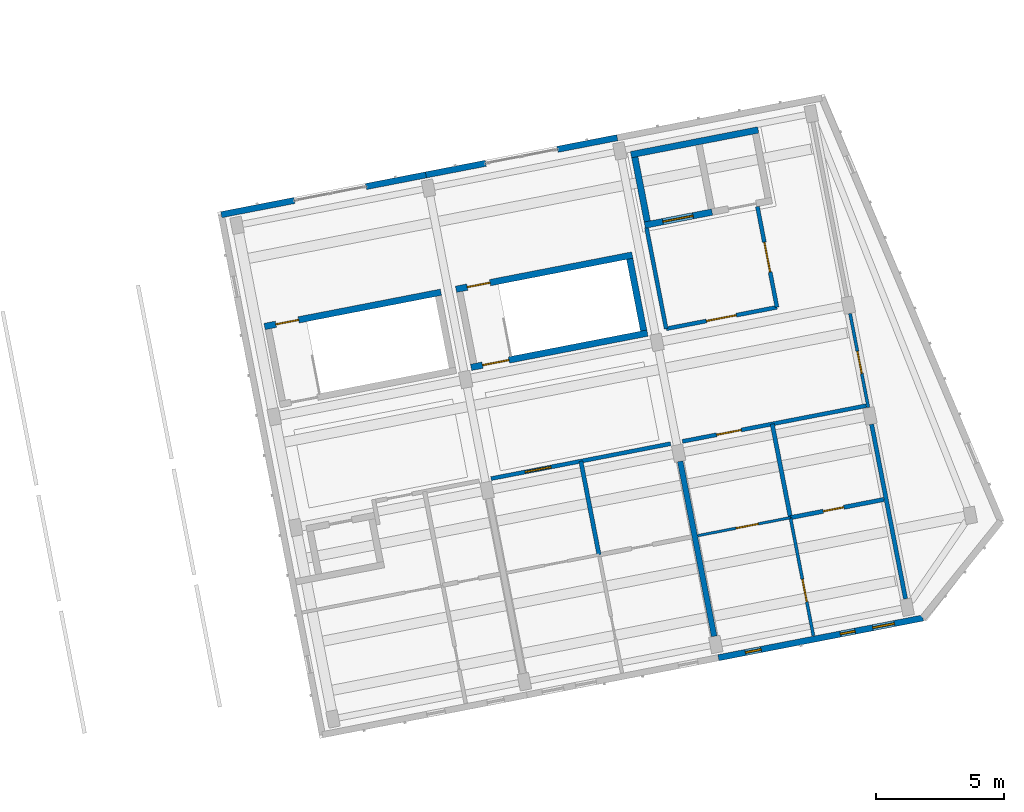
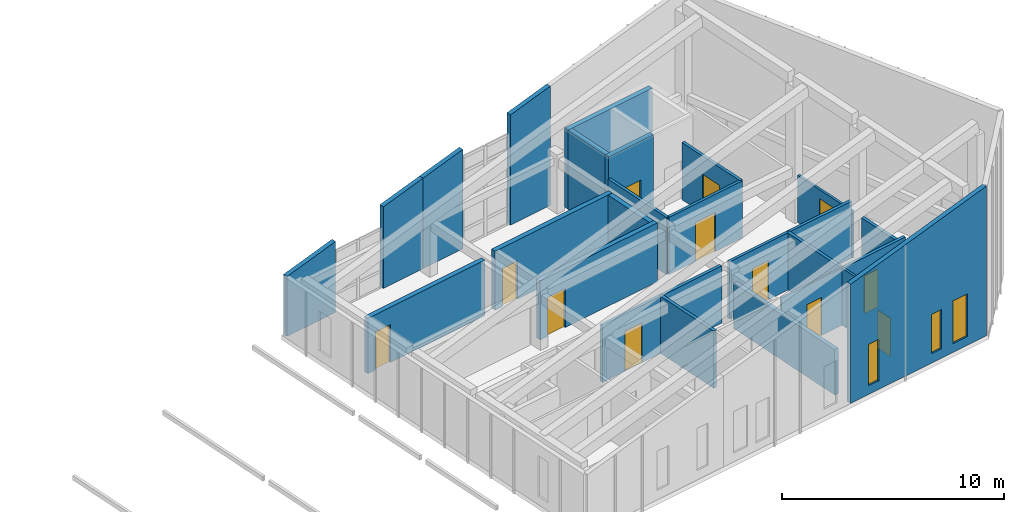
# One storey, part 30 of 56: 25 walls, 12 doors, 3 windows, 15 openings.
"""IFC4 building model written with IfcOpenShell, lengths in metres."""

from ifc_helpers import new_model, si_unit, direction, frame, frame_2d, origin, place, context, subcontext, project, spatial, polyline, rectangle, outline, extrude, material, layer, layer_set, type_object, element, fill, save


model = new_model("IFC4")

# Units and contexts
model_context = context("Model", 3, precision=1e-05, world=origin(), true_north=direction((0.0, 1.0)))
body_context = subcontext(model_context, "Body", "Model", "MODEL_VIEW")
ifc_project = project(units=[si_unit("LENGTHUNIT", "METRE"), si_unit("AREAUNIT", "SQUARE_METRE"), si_unit("VOLUMEUNIT", "CUBIC_METRE"), si_unit("PLANEANGLEUNIT", "RADIAN"), si_unit("MASSUNIT", "GRAM", prefix="KILO")], contexts=[model_context])

# Site, building, storey
site_placement = place(None, origin())
site = spatial("IfcSite", under=ifc_project, at=site_placement, CompositionType="ELEMENT")
building_placement = place(site_placement, origin())
building = spatial("IfcBuilding", under=site, at=building_placement, Name="Kestramere Prow Commons", CompositionType="ELEMENT")
storey_placement = place(building_placement, frame((0.0, 0.0, 27.89990234375)))
storey = spatial("IfcBuildingStorey", under=building, at=storey_placement, Name="L08", CompositionType="ELEMENT", Elevation=27.89990234375)

# Wall, openings, windows
ifc_material_1 = material(Name="Fluoropolymer Standing-Seam Zinc-Aluminium Cladding", Category="aluminium")
ifc_layer_1 = layer(ifc_material_1, 0.239990234375)
ifc_layer_set_1 = layer_set([ifc_layer_1], Name="Fluoropolymer Standing-Seam Zinc-Aluminium Cladding")
wall_type_1 = type_object("IfcWallType", Name="EW-SEAM-240", PredefinedType="SOLIDWALL", material=ifc_layer_set_1)
wall_1_placement = place(storey_placement, frame((163.77783203125, 42.28564453125, 0.0), z_axis=(0.0, 0.0, 1.0), x_axis=(-0.981628367112, -0.190802905848, 0.0)))
wall_1 = element("IfcWall", 1, at=wall_1_placement, inside=storey, type_object=wall_type_1, Name="Block D L08 South Standing-Seam Wall 6", PredefinedType="SOLIDWALL", context=body_context, shape_type="SweptSolid", body=[
    extrude(outline(polyline([(0.0, 0.0), (8.125, 0.0), (8.125, 6.5595703125), (0.0, 8.2412109375), (0.0, 0.0)])), frame((0.0, 0.1201171875, 0.0), z_axis=(0.0, -1.0, 0.0), x_axis=(1.0, 0.0, 0.0)), (0.0, 0.0, 1.0), 0.239990234375),
])
opening_1_placement = place(wall_1_placement, frame((1.135009765625, 0.0, 0.47998046875)))
opening_1 = element("IfcOpeningElement", 2, at=opening_1_placement, cuts=wall_1, Name="Opening WN-15", PredefinedType="OPENING", context=body_context, shape_type="SweptSolid", body=[
    extrude(rectangle(XDim=0.860107421875, YDim=2.360107421875, at=frame_2d((0.43017578125, 1.18017578125))), frame((0.0, 0.135009765625, 0.0), z_axis=(0.0, -1.0, 0.0), x_axis=(1.0, 0.0, 0.0)), (0.0, 0.0, 1.0), 0.27001953125),
])
opening_2_placement = place(wall_1_placement, frame((2.697021484375, 0.0, 0.52001953125)))
opening_2 = element("IfcOpeningElement", 3, at=opening_2_placement, cuts=wall_1, Name="Opening WN-01", PredefinedType="OPENING", context=body_context, shape_type="SweptSolid", body=[
    extrude(rectangle(XDim=0.580078125, YDim=2.159912109375, at=frame_2d((0.2900390625, 1.080078125))), frame((0.0, 0.135009765625, 0.0), z_axis=(0.0, -1.0, 0.0), x_axis=(1.0, 0.0, 0.0)), (0.0, 0.0, 1.0), 0.27001953125),
])
opening_3_placement = place(wall_1_placement, frame((6.4296875, 0.0, 0.47998046875)))
opening_3 = element("IfcOpeningElement", 4, at=opening_3_placement, cuts=wall_1, Name="Opening WN-03", PredefinedType="OPENING", context=body_context, shape_type="SweptSolid", body=[
    extrude(rectangle(XDim=0.6201171875, YDim=2.280029296875, at=frame_2d((0.31005859375, 1.14013671875))), frame((0.0, 0.135009765625, 0.0), z_axis=(0.0, -1.0, 0.0), x_axis=(1.0, 0.0, 0.0)), (0.0, 0.0, 1.0), 0.27001953125),
])
ifc_material_2 = material(Name="Low-E Laminated Double Glazing", Category="glass")
window_type_1 = type_object("IfcWindowType", Name="WN-NAR-580A", PartitioningType="SINGLE_PANEL", PredefinedType="WINDOW", material=ifc_material_2)
window_1_placement = place(opening_2_placement, origin())
window_1 = element("IfcWindow", 5, at=window_1_placement, inside=storey, type_object=window_type_1, Name="WN-D-L08-S-5-01", OverallHeight=2.159912109375, OverallWidth=0.580078125, PartitioningType="SINGLE_PANEL", PredefinedType="WINDOW", context=body_context, shape_type="SweptSolid", body=[
    extrude(rectangle(XDim=0.580078125, YDim=2.159912109375, at=frame_2d((0.2900390625, 1.080078125))), frame((0.0, 0.030029296875, 0.0), z_axis=(0.0, -1.0, 0.0), x_axis=(1.0, 0.0, 0.0)), (0.0, 0.0, 1.0), 0.06005859375),
])
fill(opening_2, window_1)
window_type_2 = type_object("IfcWindowType", Name="WN-NAR-620A", PartitioningType="SINGLE_PANEL", PredefinedType="WINDOW", material=ifc_material_2)
window_2_placement = place(opening_3_placement, origin())
window_2 = element("IfcWindow", 6, at=window_2_placement, inside=storey, type_object=window_type_2, Name="WN-D-L08-S-5-10", OverallHeight=2.280029296875, OverallWidth=0.6201171875, PartitioningType="SINGLE_PANEL", PredefinedType="WINDOW", context=body_context, shape_type="SweptSolid", body=[
    extrude(rectangle(XDim=0.6201171875, YDim=2.280029296875, at=frame_2d((0.31005859375, 1.14013671875))), frame((0.0, 0.030029296875, 0.0), z_axis=(0.0, -1.0, 0.0), x_axis=(1.0, 0.0, 0.0)), (0.0, 0.0, 1.0), 0.06005859375),
])
fill(opening_3, window_2)
window_type_3 = type_object("IfcWindowType", Name="WN-NAR-860A", PartitioningType="DOUBLE_PANEL_VERTICAL", PredefinedType="WINDOW", material=ifc_material_2)
window_3_placement = place(opening_1_placement, origin())
window_3 = element("IfcWindow", 7, at=window_3_placement, inside=storey, type_object=window_type_3, Name="WN-D-L08-S-5-00", OverallHeight=2.360107421875, OverallWidth=0.860107421875, PartitioningType="SINGLE_PANEL", PredefinedType="WINDOW", context=body_context, shape_type="SweptSolid", body=[
    extrude(rectangle(XDim=0.860107421875, YDim=2.360107421875, at=frame_2d((0.43017578125, 1.18017578125))), frame((0.0, 0.030029296875, 0.0), z_axis=(0.0, -1.0, 0.0), x_axis=(1.0, 0.0, 0.0)), (0.0, 0.0, 1.0), 0.06005859375),
])
fill(opening_1, window_3)

# Walls
wall_2_placement = place(storey_placement, frame((136.42578125, 58.005615234375, 0.0), z_axis=(0.0, 0.0, 1.0), x_axis=(0.981634663451, 0.190770510067, 0.0)))
element("IfcWall", 8, at=wall_2_placement, inside=storey, type_object=wall_type_1, Name="Block D L08 North Standing-Seam Pier 4L", PredefinedType="SOLIDWALL", context=body_context, shape_type="SweptSolid", body=[
    extrude(outline(polyline([(0.0, 0.0), (2.89990234375, 0.0), (2.89990234375, 3.9052734375), (0.0, 3.30517578125), (0.0, 0.0)])), frame((0.0, 0.1201171875, 0.0), z_axis=(0.0, -1.0, 0.0), x_axis=(1.0, 0.0, 0.0)), (0.0, 0.0, 1.0), 0.239990234375),
])
wall_3_placement = place(storey_placement, frame((142.070068359375, 59.102783203125, 0.0), z_axis=(0.0, 0.0, 1.0), x_axis=(0.981629832251, 0.190795367961, 0.0)))
element("IfcWall", 9, at=wall_3_placement, inside=storey, type_object=wall_type_1, Name="Block D L08 North Standing-Seam Pier 4R", PredefinedType="SOLIDWALL", context=body_context, shape_type="SweptSolid", body=[
    extrude(outline(polyline([(0.0, 0.0), (2.375, 0.0), (2.375, 4.98681640625), (0.0, 4.4951171875), (0.0, 0.0)])), frame((0.0, 0.1201171875, 0.0), z_axis=(0.0, -1.0, 0.0), x_axis=(1.0, 0.0, 0.0)), (0.0, 0.0, 1.0), 0.239990234375),
])
wall_4_placement = place(storey_placement, frame((144.4013671875, 59.555908203125, 0.0), z_axis=(0.0, 0.0, 1.0), x_axis=(0.981633573872, 0.190776116556, 0.0)))
element("IfcWall", 10, at=wall_4_placement, inside=storey, type_object=wall_type_1, Name="Block D L08 North Standing-Seam Pier 5L", PredefinedType="SOLIDWALL", context=body_context, shape_type="SweptSolid", body=[
    extrude(outline(polyline([(0.0, 0.0), (2.375244140625, 0.0), (2.375, 5.478271484375), (0.0, 4.98681640625), (0.0, 0.0)])), frame((0.0, 0.1201171875, 0.0), z_axis=(0.0, -1.0, 0.0), x_axis=(1.0, 0.0, 0.0)), (0.0, 0.0, 1.0), 0.239990234375),
])
wall_5_placement = place(storey_placement, frame((149.530517578125, 60.552734375, 0.0), z_axis=(0.0, 0.0, 1.0), x_axis=(0.98161057432, 0.190894422087, 0.0)))
element("IfcWall", 11, at=wall_5_placement, inside=storey, type_object=wall_type_1, Name="Block D L08 North Standing-Seam Pier 5R", PredefinedType="SOLIDWALL", context=body_context, shape_type="SweptSolid", body=[
    extrude(outline(polyline([(0.0, 0.0), (2.375, 0.0), (2.375, 6.5595703125), (0.0, 6.068115234375), (0.0, 0.0)])), frame((0.0, 0.1201171875, 0.0), z_axis=(0.0, -1.0, 0.0), x_axis=(1.0, 0.0, 0.0)), (0.0, 0.0, 1.0), 0.239990234375),
])
ifc_material_3 = material(Name="Concrete C40/50", Category="concrete")
ifc_layer_2 = layer(ifc_material_3, 0.25)
ifc_layer_set_2 = layer_set([ifc_layer_2], Name="Concrete C40/50")
wall_type_2 = type_object("IfcWallType", Name="W-CORE-250", PredefinedType="SHEAR", material=ifc_layer_set_2)
wall_6_placement = place(storey_placement, frame((152.3974609375, 60.34619140625, 0.0), z_axis=(0.0, 0.0, 1.0), x_axis=(0.981635261308, 0.190767433692, 0.0)))
element("IfcWall", 12, at=wall_6_placement, inside=storey, type_object=wall_type_2, Name="Block D L08 Lift Core Back Wall", PredefinedType="SHEAR", context=body_context, shape_type="SweptSolid", body=[
    extrude(rectangle(XDim=5.050048828125, YDim=0.25, at=frame_2d((2.52490234375, 0.0))), origin(), (0.0, 0.0, 1.0), 4.35009765625),
])

# Wall, opening, door
wall_7_placement = place(storey_placement, frame((152.931884765625, 57.59765625, 0.0), z_axis=(0.0, 0.0, 1.0), x_axis=(0.981636759622, 0.190759723627, 0.0)))
wall_7 = element("IfcWall", 13, at=wall_7_placement, inside=storey, type_object=wall_type_2, Name="Block D L08 Fire Lift Shaft Front Wall", PredefinedType="SHEAR", context=body_context, shape_type="SweptSolid", body=[
    extrude(rectangle(XDim=2.6748046875, YDim=0.25, at=frame_2d((1.33740234375, 0.0))), origin(), (0.0, 0.0, 1.0), 4.35009765625),
])
opening_4_placement = place(wall_7_placement, frame((0.719970703125, 0.0, 0.0)))
opening_4 = element("IfcOpeningElement", 14, at=opening_4_placement, cuts=wall_7, Name="Opening LD-02", PredefinedType="OPENING", context=body_context, shape_type="SweptSolid", body=[
    extrude(rectangle(XDim=1.199951171875, YDim=2.199951171875, at=frame_2d((0.60009765625, 1.10009765625))), frame((0.0, 0.139892578125, 0.0), z_axis=(0.0, -1.0, 0.0), x_axis=(1.0, 0.0, 0.0)), (0.0, 0.0, 1.0), 0.280029296875),
])
ifc_material_4 = material(Name="Brushed Stainless Steel 316", Category="steel")
door_type_1 = type_object("IfcDoorType", Name="LD-02", OperationType="DOUBLE_DOOR_SLIDING", PredefinedType="DOOR", material=ifc_material_4)
door_1_placement = place(opening_4_placement, origin())
door_1 = element("IfcDoor", 15, at=door_1_placement, inside=storey, type_object=door_type_1, Name="FL-D1 L08 Lift Landing Door", OperationType="DOUBLE_DOOR_SLIDING", OverallHeight=2.199951171875, OverallWidth=1.199951171875, PredefinedType="DOOR", context=body_context, shape_type="SweptSolid", body=[
    extrude(rectangle(XDim=1.199951171875, YDim=2.199951171875, at=frame_2d((0.60009765625, 1.10009765625))), frame((0.0, 0.02490234375, 0.0), z_axis=(0.0, -1.0, 0.0), x_axis=(1.0, 0.0, 0.0)), (0.0, 0.0, 1.0), 0.050048828125),
])
fill(opening_4, door_1)

# Wall
wall_8_placement = place(storey_placement, frame((153.03076171875, 57.744140625, 0.0), z_axis=(0.0, 0.0, 1.0), x_axis=(-0.190810719655, 0.98162684828, 0.0)))
element("IfcWall", 16, at=wall_8_placement, inside=storey, type_object=wall_type_2, Name="Block D L08 Lift Core Side Wall L", PredefinedType="SHEAR", context=body_context, shape_type="SweptSolid", body=[
    extrude(rectangle(XDim=2.550048828125, YDim=0.25, at=frame_2d((1.27490234375, 0.0))), origin(), (0.0, 0.0, 1.0), 4.35009765625),
])

# Wall, opening, door
wall_9_placement = place(storey_placement, frame((138.11328125, 53.6474609375, 0.0), z_axis=(0.0, 0.0, 1.0), x_axis=(0.981626097708, 0.19081458094, 0.0)))
wall_9 = element("IfcWall", 17, at=wall_9_placement, inside=storey, type_object=wall_type_2, Name="ST-D1 L08 North Shaft Wall", PredefinedType="SHEAR", context=body_context, shape_type="SweptSolid", body=[
    extrude(rectangle(XDim=7.0, YDim=0.25, at=frame_2d((3.5, 0.0))), origin(), (0.0, 0.0, 1.0), 3.048828125),
])
opening_5_placement = place(wall_9_placement, frame((0.449951171875, 0.0, 0.0)))
opening_5 = element("IfcOpeningElement", 18, at=opening_5_placement, cuts=wall_9, Name="Opening ID-08", PredefinedType="OPENING", context=body_context, shape_type="SweptSolid", body=[
    extrude(rectangle(XDim=0.89990234375, YDim=2.10009765625, at=frame_2d((0.449951171875, 1.050048828125))), frame((0.0, 0.139892578125, 0.0), z_axis=(0.0, -1.0, 0.0), x_axis=(1.0, 0.0, 0.0)), (0.0, 0.0, 1.0), 0.280029296875),
])
ifc_material_5 = material(Name="Engineered Timber Flush Door", Category="wood")
door_type_2 = type_object("IfcDoorType", Name="D-RM-01", OperationType="NOTDEFINED", PredefinedType="DOOR", material=ifc_material_5)
door_2_placement = place(opening_5_placement, origin())
door_2 = element("IfcDoor", 19, at=door_2_placement, inside=storey, type_object=door_type_2, Name="ST-D1 L08 North Room Door", OperationType="SINGLE_SWING_RIGHT", OverallHeight=2.10009765625, OverallWidth=0.89990234375, PredefinedType="DOOR", context=body_context, shape_type="SweptSolid", body=[
    extrude(rectangle(XDim=0.89990234375, YDim=2.10009765625, at=frame_2d((0.449951171875, 1.050048828125))), frame((0.0, 0.02490234375, 0.0), z_axis=(0.0, -1.0, 0.0), x_axis=(1.0, 0.0, 0.0)), (0.0, 0.0, 1.0), 0.050048828125),
])
fill(opening_5, door_2)

wall_10_placement = place(storey_placement, frame((145.57373046875, 55.09765625, 0.0), z_axis=(0.0, 0.0, 1.0), x_axis=(0.981626097708, 0.19081458094, 0.0)))
wall_10 = element("IfcWall", 20, at=wall_10_placement, inside=storey, type_object=wall_type_2, Name="ST-D2 L08 North Shaft Wall", PredefinedType="SHEAR", context=body_context, shape_type="SweptSolid", body=[
    extrude(rectangle(XDim=7.0, YDim=0.25, at=frame_2d((3.5, 0.0))), origin(), (0.0, 0.0, 1.0), 3.25),
])
opening_6_placement = place(wall_10_placement, frame((0.449951171875, 0.0, 0.0)))
opening_6 = element("IfcOpeningElement", 21, at=opening_6_placement, cuts=wall_10, Name="Opening ID-08", PredefinedType="OPENING", context=body_context, shape_type="SweptSolid", body=[
    extrude(rectangle(XDim=0.89990234375, YDim=2.10009765625, at=frame_2d((0.449951171875, 1.050048828125))), frame((0.0, 0.139892578125, 0.0), z_axis=(0.0, -1.0, 0.0), x_axis=(1.0, 0.0, 0.0)), (0.0, 0.0, 1.0), 0.280029296875),
])
door_3_placement = place(opening_6_placement, origin())
door_3 = element("IfcDoor", 22, at=door_3_placement, inside=storey, type_object=door_type_2, Name="ST-D2 L08 North Room Door", OperationType="SINGLE_SWING_RIGHT", OverallHeight=2.10009765625, OverallWidth=0.89990234375, PredefinedType="DOOR", context=body_context, shape_type="SweptSolid", body=[
    extrude(rectangle(XDim=0.89990234375, YDim=2.10009765625, at=frame_2d((0.449951171875, 1.050048828125))), frame((0.0, 0.02490234375, 0.0), z_axis=(0.0, -1.0, 0.0), x_axis=(1.0, 0.0, 0.0)), (0.0, 0.0, 1.0), 0.050048828125),
])
fill(opening_6, door_3)

wall_11_placement = place(storey_placement, frame((146.1650390625, 52.054443359375, 0.0), z_axis=(0.0, 0.0, 1.0), x_axis=(0.981627367538, 0.190808048312, 0.0)))
wall_11 = element("IfcWall", 23, at=wall_11_placement, inside=storey, type_object=wall_type_2, Name="ST-D2 L08 Corridor Shaft Wall", PredefinedType="SHEAR", context=body_context, shape_type="SweptSolid", body=[
    extrude(rectangle(XDim=7.000244140625, YDim=0.25, at=frame_2d((3.5, 0.0))), origin(), (0.0, 0.0, 1.0), 3.25),
])
opening_7_placement = place(wall_11_placement, frame((0.449951171875, 0.0, 0.0)))
opening_7 = element("IfcOpeningElement", 24, at=opening_7_placement, cuts=wall_11, Name="Opening ID-01", PredefinedType="OPENING", context=body_context, shape_type="SweptSolid", body=[
    extrude(rectangle(XDim=1.050048828125, YDim=2.14990234375, at=frame_2d((0.52490234375, 1.074951171875))), frame((0.0, 0.139892578125, 0.0), z_axis=(0.0, -1.0, 0.0), x_axis=(1.0, 0.0, 0.0)), (0.0, 0.0, 1.0), 0.280029296875),
])
ifc_material_6 = material(Name="Fire-Rated Timber and Steel Frame", Category="steel")
door_type_3 = type_object("IfcDoorType", Name="FD-ST-01", OperationType="NOTDEFINED", PredefinedType="DOOR", material=ifc_material_6)
door_4_placement = place(opening_7_placement, origin())
door_4 = element("IfcDoor", 25, at=door_4_placement, inside=storey, type_object=door_type_3, Name="ST-D2 L08 Protected Stair Door", OperationType="SINGLE_SWING_LEFT", OverallHeight=2.14990234375, OverallWidth=1.050048828125, PredefinedType="DOOR", context=body_context, shape_type="SweptSolid", body=[
    extrude(rectangle(XDim=1.050048828125, YDim=2.14990234375, at=frame_2d((0.52490234375, 1.074951171875))), frame((0.0, 0.02490234375, 0.0), z_axis=(0.0, -1.0, 0.0), x_axis=(1.0, 0.0, 0.0)), (0.0, 0.0, 1.0), 0.050048828125),
])
fill(opening_7, door_4)

# Wall
wall_12_placement = place(storey_placement, frame((152.889892578125, 53.489013671875, 0.0), z_axis=(0.0, 0.0, 1.0), x_axis=(-0.190775649797, 0.981633664584, 0.0)))
element("IfcWall", 26, at=wall_12_placement, inside=storey, type_object=wall_type_2, Name="ST-D2 L08 Far Shaft Wall", PredefinedType="SHEAR", context=body_context, shape_type="SweptSolid", body=[
    extrude(rectangle(XDim=2.849853515625, YDim=0.25, at=frame_2d((1.4248046875, 0.0))), origin(), (0.0, 0.0, 1.0), 3.25),
])

# Wall, opening, door
ifc_material_7 = material(Name="Fire-Rated Calcium Silicate Wall")
ifc_layer_3 = layer(ifc_material_7, 0.155029296875)
ifc_layer_set_3 = layer_set([ifc_layer_3], Name="Fire-Rated Calcium Silicate Wall")
wall_type_3 = type_object("IfcWallType", Name="W-FIRE-150", PredefinedType="PARTITIONING", material=ifc_layer_set_3)
wall_13_placement = place(storey_placement, frame((153.76806640625, 53.557861328125, 0.0), z_axis=(0.0, 0.0, 1.0), x_axis=(0.981624918225, 0.190820648566, 0.0)))
wall_13 = element("IfcWall", 27, at=wall_13_placement, inside=storey, type_object=wall_type_3, Name="Interior Partition PW-D-L08-FFL-S", PredefinedType="PARTITIONING", context=body_context, shape_type="SweptSolid", body=[
    extrude(rectangle(XDim=4.39990234375, YDim=0.155029296875, at=frame_2d((2.199951171875, 0.0))), origin(), (0.0, 0.0, 1.0), 3.150146484375),
])
opening_8_placement = place(wall_13_placement, frame((1.60009765625, 0.0, 0.0)))
opening_8 = element("IfcOpeningElement", 28, at=opening_8_placement, cuts=wall_13, Name="Opening ID-03", PredefinedType="OPENING", context=body_context, shape_type="SweptSolid", body=[
    extrude(rectangle(XDim=1.179931640625, YDim=2.14990234375, at=frame_2d((0.58984375, 1.074951171875))), frame((0.0, 0.092529296875, 0.0), z_axis=(0.0, -1.0, 0.0), x_axis=(1.0, 0.0, 0.0)), (0.0, 0.0, 1.0), 0.18505859375),
])
ifc_material_8 = material(Name="Fire-Rated Glazed Smoke-Stop Door")
door_type_4 = type_object("IfcDoorType", Name="FD-LB-01", OperationType="NOTDEFINED", PredefinedType="DOOR", material=ifc_material_8)
door_5_placement = place(opening_8_placement, origin())
door_5 = element("IfcDoor", 29, at=door_5_placement, inside=storey, type_object=door_type_4, Name="Interior Door DR-D-L08-FFL", OperationType="SINGLE_SWING_LEFT", OverallHeight=2.14990234375, OverallWidth=1.179931640625, PredefinedType="DOOR", context=body_context, shape_type="SweptSolid", body=[
    extrude(rectangle(XDim=1.179931640625, YDim=2.14990234375, at=frame_2d((0.58984375, 1.074951171875))), frame((0.0, 0.02490234375, 0.0), z_axis=(0.0, -1.0, 0.0), x_axis=(1.0, 0.0, 0.0)), (0.0, 0.0, 1.0), 0.050048828125),
])
fill(opening_8, door_5)

# Wall
wall_14_placement = place(storey_placement, frame((153.76806640625, 53.557861328125, 0.0), z_axis=(0.0, 0.0, 1.0), x_axis=(-0.19085495634, 0.981618248425, 0.0)))
element("IfcWall", 30, at=wall_14_placement, inside=storey, type_object=wall_type_3, Name="Interior Partition PW-D-L08-FFL-W", PredefinedType="PARTITIONING", context=body_context, shape_type="SweptSolid", body=[
    extrude(rectangle(XDim=4.0, YDim=0.155029296875, at=frame_2d((2.0, 0.0))), origin(), (0.0, 0.0, 1.0), 3.150146484375),
])

# Wall, opening, door
wall_15_placement = place(storey_placement, frame((158.087158203125, 54.3974609375, 0.0), z_axis=(0.0, 0.0, 1.0), x_axis=(-0.190796144009, 0.981629681413, 0.0)))
wall_15 = element("IfcWall", 31, at=wall_15_placement, inside=storey, type_object=wall_type_3, Name="Interior Partition PW-D-L08-FFL-E", PredefinedType="PARTITIONING", context=body_context, shape_type="SweptSolid", body=[
    extrude(rectangle(XDim=4.0, YDim=0.155029296875, at=frame_2d((2.0, 0.0))), origin(), (0.0, 0.0, 1.0), 3.150146484375),
])
opening_9_placement = place(wall_15_placement, frame((1.39990234375, 0.0, 0.0)))
opening_9 = element("IfcOpeningElement", 32, at=opening_9_placement, cuts=wall_15, Name="Opening ID-03", PredefinedType="OPENING", context=body_context, shape_type="SweptSolid", body=[
    extrude(rectangle(XDim=1.179931640625, YDim=2.14990234375, at=frame_2d((0.58984375, 1.074951171875))), frame((0.0, 0.092529296875, 0.0), z_axis=(0.0, -1.0, 0.0), x_axis=(1.0, 0.0, 0.0)), (0.0, 0.0, 1.0), 0.18505859375),
])
door_6_placement = place(opening_9_placement, origin())
door_6 = element("IfcDoor", 33, at=door_6_placement, inside=storey, type_object=door_type_4, Name="Interior Door DR-D-L08-FFL-PL", OperationType="SINGLE_SWING_LEFT", OverallHeight=2.14990234375, OverallWidth=1.179931640625, PredefinedType="DOOR", context=body_context, shape_type="SweptSolid", body=[
    extrude(rectangle(XDim=1.179931640625, YDim=2.14990234375, at=frame_2d((0.58984375, 1.074951171875))), frame((0.0, 0.02490234375, 0.0), z_axis=(0.0, -1.0, 0.0), x_axis=(1.0, 0.0, 0.0)), (0.0, 0.0, 1.0), 0.050048828125),
])
fill(opening_9, door_6)

wall_16_placement = place(storey_placement, frame((146.94189453125, 47.718017578125, 0.0), z_axis=(0.0, 0.0, 1.0), x_axis=(0.981623942594, 0.190825667367, 0.0)))
wall_16 = element("IfcWall", 34, at=wall_16_placement, inside=storey, type_object=wall_type_3, Name="Interior Partition PW-D-L08-CS-4", PredefinedType="PARTITIONING", context=body_context, shape_type="SweptSolid", body=[
    extrude(rectangle(XDim=7.130126953125, YDim=0.155029296875, at=frame_2d((3.56494140625, 0.0))), origin(), (0.0, 0.0, 1.0), 3.150146484375),
])
opening_10_placement = place(wall_16_placement, frame((1.35498046875, 0.0, 0.0)))
opening_10 = element("IfcOpeningElement", 35, at=opening_10_placement, cuts=wall_16, Name="Opening ID-05", PredefinedType="OPENING", context=body_context, shape_type="SweptSolid", body=[
    extrude(rectangle(XDim=1.02001953125, YDim=2.199951171875, at=frame_2d((0.510009765625, 1.10009765625))), frame((0.0, 0.092529296875, 0.0), z_axis=(0.0, -1.0, 0.0), x_axis=(1.0, 0.0, 0.0)), (0.0, 0.0, 1.0), 0.18505859375),
])
ifc_material_9 = material(Name="Hardwood Fire-Rated Flat Entrance Door", Category="wood")
door_type_5 = type_object("IfcDoorType", Name="FD-ENT-02", OperationType="NOTDEFINED", PredefinedType="DOOR", material=ifc_material_9)
door_7_placement = place(opening_10_placement, origin())
door_7 = element("IfcDoor", 36, at=door_7_placement, inside=storey, type_object=door_type_5, Name="Interior Door DR-D-L08-ENT-S4", OperationType="SINGLE_SWING_LEFT", OverallHeight=2.199951171875, OverallWidth=1.02001953125, PredefinedType="DOOR", context=body_context, shape_type="SweptSolid", body=[
    extrude(rectangle(XDim=1.02001953125, YDim=2.199951171875, at=frame_2d((0.510009765625, 1.10009765625))), frame((0.0, 0.02490234375, 0.0), z_axis=(0.0, -1.0, 0.0), x_axis=(1.0, 0.0, 0.0)), (0.0, 0.0, 1.0), 0.050048828125),
])
fill(opening_10, door_7)

wall_17_placement = place(storey_placement, frame((154.40234375, 49.168212890625, 0.0), z_axis=(0.0, 0.0, 1.0), x_axis=(0.981623226858, 0.190829349137, 0.0)))
wall_17 = element("IfcWall", 37, at=wall_17_placement, inside=storey, type_object=wall_type_3, Name="Interior Partition PW-D-L08-CS-5", PredefinedType="PARTITIONING", context=body_context, shape_type="SweptSolid", body=[
    extrude(rectangle(XDim=7.294921875, YDim=0.155029296875, at=frame_2d((3.6474609375, 0.0))), origin(), (0.0, 0.0, 1.0), 3.150146484375),
])
opening_11_placement = place(wall_17_placement, frame((1.35498046875, 0.0, 0.0)))
opening_11 = element("IfcOpeningElement", 38, at=opening_11_placement, cuts=wall_17, Name="Opening ID-04", PredefinedType="OPENING", context=body_context, shape_type="SweptSolid", body=[
    extrude(rectangle(XDim=0.97998046875, YDim=2.14990234375, at=frame_2d((0.489990234375, 1.074951171875))), frame((0.0, 0.092529296875, 0.0), z_axis=(0.0, -1.0, 0.0), x_axis=(1.0, 0.0, 0.0)), (0.0, 0.0, 1.0), 0.18505859375),
])
door_type_6 = type_object("IfcDoorType", Name="FD-ENT-01", OperationType="NOTDEFINED", PredefinedType="DOOR", material=ifc_material_9)
door_8_placement = place(opening_11_placement, origin())
door_8 = element("IfcDoor", 39, at=door_8_placement, inside=storey, type_object=door_type_6, Name="Interior Door DR-D-L08-ENT-S5", OperationType="SINGLE_SWING_RIGHT", OverallHeight=2.14990234375, OverallWidth=0.97998046875, PredefinedType="DOOR", context=body_context, shape_type="SweptSolid", body=[
    extrude(rectangle(XDim=0.97998046875, YDim=2.14990234375, at=frame_2d((0.489990234375, 1.074951171875))), frame((0.0, 0.02490234375, 0.0), z_axis=(0.0, -1.0, 0.0), x_axis=(1.0, 0.0, 0.0)), (0.0, 0.0, 1.0), 0.050048828125),
])
fill(opening_11, door_8)

ifc_material_10 = material(Name="Gypsum Acoustic Drywall")
ifc_layer_4 = layer(ifc_material_10, 0.10009765625)
ifc_layer_set_4 = layer_set([ifc_layer_4], Name="Gypsum Acoustic Drywall")
wall_type_4 = type_object("IfcWallType", Name="W-PART-100", PredefinedType="PARTITIONING", material=ifc_layer_set_4)
wall_18_placement = place(storey_placement, frame((154.994140625, 45.49365234375, 0.0), z_axis=(0.0, 0.0, 1.0), x_axis=(0.981628834294, 0.190800502313, 0.0)))
wall_18 = element("IfcWall", 40, at=wall_18_placement, inside=storey, type_object=wall_type_4, Name="Interior Partition PW-D-L08-MIDS1-5", PredefinedType="PARTITIONING", context=body_context, shape_type="SweptSolid", body=[
    extrude(rectangle(XDim=3.68505859375, YDim=0.10009765625, at=frame_2d((1.842529296875, 0.0))), origin(), (0.0, 0.0, 1.0), 3.150146484375),
])
opening_12_placement = place(wall_18_placement, frame((1.52490234375, 0.0, 0.0)))
opening_12 = element("IfcOpeningElement", 41, at=opening_12_placement, cuts=wall_18, Name="Opening ID-10", PredefinedType="OPENING", context=body_context, shape_type="SweptSolid", body=[
    extrude(rectangle(XDim=0.8798828125, YDim=2.10009765625, at=frame_2d((0.43994140625, 1.050048828125))), frame((0.0, 0.06494140625, 0.0), z_axis=(0.0, -1.0, 0.0), x_axis=(1.0, 0.0, 0.0)), (0.0, 0.0, 1.0), 0.130126953125),
])
ifc_material_11 = material(Name="Engineered Timber Bedroom Door", Category="wood")
door_type_7 = type_object("IfcDoorType", Name="D-RM-03", OperationType="NOTDEFINED", PredefinedType="DOOR", material=ifc_material_11)
door_9_placement = place(opening_12_placement, origin())
door_9 = element("IfcDoor", 42, at=door_9_placement, inside=storey, type_object=door_type_7, Name="Interior Door DR-D-L08-KL-S5", OperationType="SINGLE_SWING_RIGHT", OverallHeight=2.10009765625, OverallWidth=0.8798828125, PredefinedType="DOOR", context=body_context, shape_type="SweptSolid", body=[
    extrude(rectangle(XDim=0.8798828125, YDim=2.10009765625, at=frame_2d((0.43994140625, 1.050048828125))), frame((0.0, 0.02490234375, 0.0), z_axis=(0.0, -1.0, 0.0), x_axis=(1.0, 0.0, 0.0)), (0.0, 0.0, 1.0), 0.050048828125),
])
fill(opening_12, door_9)

ifc_material_12 = material(Name="Lightweight Blockwork and Plaster", Category="masonry")
ifc_layer_5 = layer(ifc_material_12, 0.1201171875)
ifc_layer_set_5 = layer_set([ifc_layer_5], Name="Lightweight Blockwork and Plaster")
wall_type_5 = type_object("IfcWallType", Name="W-PART-120", PredefinedType="PARTITIONING", material=ifc_layer_set_5)
wall_19_placement = place(storey_placement, frame((161.648193359375, 50.489990234375, 0.0), z_axis=(0.0, 0.0, 1.0), x_axis=(-0.190789073686, 0.981631055622, 0.0)))
wall_19 = element("IfcWall", 43, at=wall_19_placement, inside=storey, type_object=wall_type_5, Name="Interior Partition PW-D-L08-PROW-ACC", PredefinedType="PARTITIONING", context=body_context, shape_type="SweptSolid", body=[
    extrude(rectangle(XDim=3.730224609375, YDim=0.1201171875, at=frame_2d((1.865234375, 0.0))), origin(), (0.0, 0.0, 1.0), 2.60009765625),
])
opening_13_placement = place(wall_19_placement, frame((1.35009765625, 0.0, 0.0)))
opening_13 = element("IfcOpeningElement", 44, at=opening_13_placement, cuts=wall_19, Name="Opening ID-10", PredefinedType="OPENING", context=body_context, shape_type="SweptSolid", body=[
    extrude(rectangle(XDim=0.8798828125, YDim=2.10009765625, at=frame_2d((0.43994140625, 1.050048828125))), frame((0.0, 0.074951171875, 0.0), z_axis=(0.0, -1.0, 0.0), x_axis=(1.0, 0.0, 0.0)), (0.0, 0.0, 1.0), 0.150146484375),
])
door_10_placement = place(opening_13_placement, origin())
door_10 = element("IfcDoor", 45, at=door_10_placement, inside=storey, type_object=door_type_7, Name="Interior Door DR-D-L08-PROW", OperationType="SINGLE_SWING_LEFT", OverallHeight=2.10009765625, OverallWidth=0.8798828125, PredefinedType="DOOR", context=body_context, shape_type="SweptSolid", body=[
    extrude(rectangle(XDim=0.8798828125, YDim=2.10009765625, at=frame_2d((0.43994140625, 1.050048828125))), frame((0.0, 0.02490234375, 0.0), z_axis=(0.0, -1.0, 0.0), x_axis=(1.0, 0.0, 0.0)), (0.0, 0.0, 1.0), 0.050048828125),
])
fill(opening_13, door_10)

wall_20_placement = place(storey_placement, frame((159.50634765625, 41.593017578125, 0.0), z_axis=(0.0, 0.0, 1.0), x_axis=(-0.190787451574, 0.981631370893, 0.0)))
wall_20 = element("IfcWall", 46, at=wall_20_placement, inside=storey, type_object=wall_type_5, Name="Interior Partition PW-D-L08-LB-S5", PredefinedType="PARTITIONING", context=body_context, shape_type="SweptSolid", body=[
    extrude(rectangle(XDim=4.68994140625, YDim=0.1201171875, at=frame_2d((2.344970703125, 0.0))), origin(), (0.0, 0.0, 1.0), 3.150146484375),
])
opening_14_placement = place(wall_20_placement, frame((1.35009765625, 0.0, 0.0)))
opening_14 = element("IfcOpeningElement", 47, at=opening_14_placement, cuts=wall_20, Name="Opening ID-08", PredefinedType="OPENING", context=body_context, shape_type="SweptSolid", body=[
    extrude(rectangle(XDim=0.89990234375, YDim=2.10009765625, at=frame_2d((0.449951171875, 1.050048828125))), frame((0.0, 0.074951171875, 0.0), z_axis=(0.0, -1.0, 0.0), x_axis=(1.0, 0.0, 0.0)), (0.0, 0.0, 1.0), 0.150146484375),
])
door_11_placement = place(opening_14_placement, origin())
door_11 = element("IfcDoor", 48, at=door_11_placement, inside=storey, type_object=door_type_2, Name="Interior Door DR-D-L08-BED-S5", OperationType="SINGLE_SWING_RIGHT", OverallHeight=2.10009765625, OverallWidth=0.89990234375, PredefinedType="DOOR", context=body_context, shape_type="SweptSolid", body=[
    extrude(rectangle(XDim=0.89990234375, YDim=2.10009765625, at=frame_2d((0.449951171875, 1.050048828125))), frame((0.0, 0.02490234375, 0.0), z_axis=(0.0, -1.0, 0.0), x_axis=(1.0, 0.0, 0.0)), (0.0, 0.0, 1.0), 0.050048828125),
])
fill(opening_14, door_11)

# Walls
ifc_material_13 = material(Name="Waterproof Sanitary Masonry Wall", Category="masonry")
ifc_layer_6 = layer(ifc_material_13, 0.1650390625)
ifc_layer_set_6 = layer_set([ifc_layer_6], Name="Waterproof Sanitary Masonry Wall")
wall_type_6 = type_object("IfcWallType", Name="W-PLUMB-150", PredefinedType="PLUMBINGWALL", material=ifc_layer_set_6)
wall_21_placement = place(storey_placement, frame((163.098388671875, 43.02978515625, 0.0), z_axis=(0.0, 0.0, 1.0), x_axis=(-0.190835713385, 0.981621989616, 0.0)))
element("IfcWall", 49, at=wall_21_placement, inside=storey, type_object=wall_type_6, Name="Interior Partition PW-D-L08-PRWE-S", PredefinedType="PLUMBINGWALL", context=body_context, shape_type="SweptSolid", body=[
    extrude(rectangle(XDim=6.93017578125, YDim=0.1650390625, at=frame_2d((3.465087890625, 0.0))), origin(), (0.0, 0.0, 1.0), 2.60009765625),
])
wall_22_placement = place(storey_placement, frame((151.151123046875, 44.74658203125, 0.0), z_axis=(0.0, 0.0, 1.0), x_axis=(-0.190774805453, 0.981633828678, 0.0)))
element("IfcWall", 50, at=wall_22_placement, inside=storey, type_object=wall_type_6, Name="Interior Partition PW-D-L08-KB-S4", PredefinedType="PLUMBINGWALL", context=body_context, shape_type="SweptSolid", body=[
    extrude(rectangle(XDim=3.72021484375, YDim=0.1650390625, at=frame_2d((1.860107421875, 0.0))), origin(), (0.0, 0.0, 1.0), 3.150146484375),
])

# Wall, opening, door
wall_23_placement = place(storey_placement, frame((158.611572265625, 46.19677734375, 0.0), z_axis=(0.0, 0.0, 1.0), x_axis=(0.981621896267, 0.190836193549, 0.0)))
wall_23 = element("IfcWall", 51, at=wall_23_placement, inside=storey, type_object=wall_type_6, Name="Interior Partition PW-D-L08-MIDS2-5", PredefinedType="PLUMBINGWALL", context=body_context, shape_type="SweptSolid", body=[
    extrude(rectangle(XDim=3.7099609375, YDim=0.1650390625, at=frame_2d((1.85498046875, 0.0))), origin(), (0.0, 0.0, 1.0), 3.150146484375),
])
opening_15_placement = place(wall_23_placement, frame((1.300048828125, 0.0, 0.0)))
opening_15 = element("IfcOpeningElement", 52, at=opening_15_placement, cuts=wall_23, Name="Opening ID-11", PredefinedType="OPENING", context=body_context, shape_type="SweptSolid", body=[
    extrude(rectangle(XDim=0.820068359375, YDim=2.080078125, at=frame_2d((0.41015625, 1.0400390625))), frame((0.0, 0.097412109375, 0.0), z_axis=(0.0, -1.0, 0.0), x_axis=(1.0, 0.0, 0.0)), (0.0, 0.0, 1.0), 0.195068359375),
])
ifc_material_14 = material(Name="Moisture-Resistant Timber Bathroom Door", Category="wood")
door_type_8 = type_object("IfcDoorType", Name="D-BT-01", OperationType="NOTDEFINED", PredefinedType="DOOR", material=ifc_material_14)
door_12_placement = place(opening_15_placement, origin())
door_12 = element("IfcDoor", 53, at=door_12_placement, inside=storey, type_object=door_type_8, Name="Interior Door DR-D-L08-BTH-S5", OperationType="SINGLE_SWING_LEFT", OverallHeight=2.080078125, OverallWidth=0.820068359375, PredefinedType="DOOR", context=body_context, shape_type="SweptSolid", body=[
    extrude(rectangle(XDim=0.820068359375, YDim=2.080078125, at=frame_2d((0.41015625, 1.0400390625))), frame((0.0, 0.02490234375, 0.0), z_axis=(0.0, -1.0, 0.0), x_axis=(1.0, 0.0, 0.0)), (0.0, 0.0, 1.0), 0.050048828125),
])
fill(opening_15, door_12)

# Walls
wall_24_placement = place(storey_placement, frame((158.611572265625, 46.19677734375, 0.0), z_axis=(0.0, 0.0, 1.0), x_axis=(-0.190850336204, 0.981619146701, 0.0)))
element("IfcWall", 54, at=wall_24_placement, inside=storey, type_object=wall_type_6, Name="Interior Partition PW-D-L08-KB-S5", PredefinedType="PLUMBINGWALL", context=body_context, shape_type="SweptSolid", body=[
    extrude(rectangle(XDim=3.719970703125, YDim=0.1650390625, at=frame_2d((1.85986328125, 0.0))), origin(), (0.0, 0.0, 1.0), 3.150146484375),
])
ifc_material_15 = material(Name="Precast concrete C40/50", Category="concrete")
ifc_layer_7 = layer(ifc_material_15, 0.219970703125)
ifc_layer_set_7 = layer_set([ifc_layer_7], Name="Precast concrete C40/50")
wall_type_7 = type_object("IfcWallType", Name="W-XWALL-220", PredefinedType="SHEAR", material=ifc_layer_set_7)
wall_25_placement = place(storey_placement, frame((155.639892578125, 41.56982421875, 0.0), z_axis=(0.0, 0.0, 1.0), x_axis=(-0.190817005532, 0.981625626397, 0.0)))
element("IfcWall", 55, at=wall_25_placement, inside=storey, type_object=wall_type_7, Name="Block D L08 Precast Cross-Wall 5", PredefinedType="SHEAR", context=body_context, shape_type="SweptSolid", body=[
    extrude(rectangle(XDim=6.949951171875, YDim=0.219970703125, at=frame_2d((3.47509765625, 0.0))), origin(), (0.0, 0.0, 1.0), 2.5),
])

save(model, "model.ifc")
